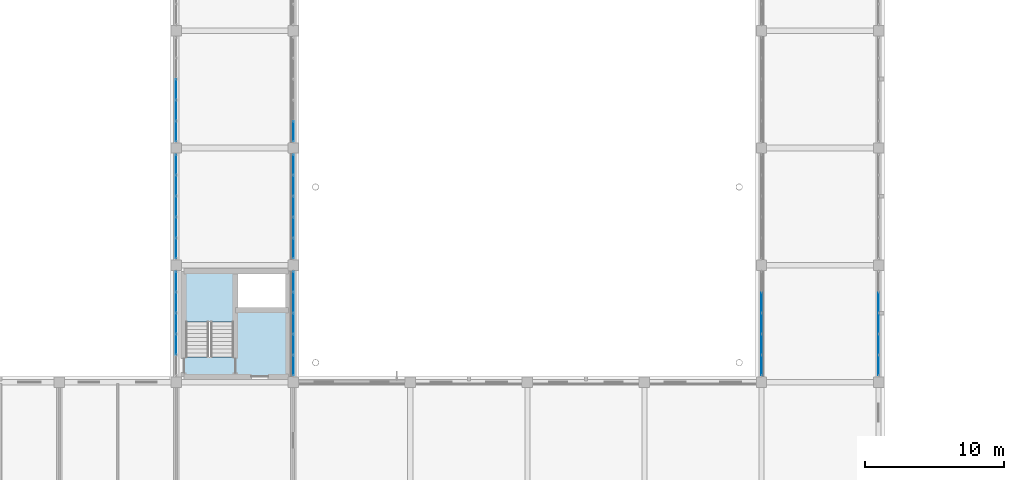
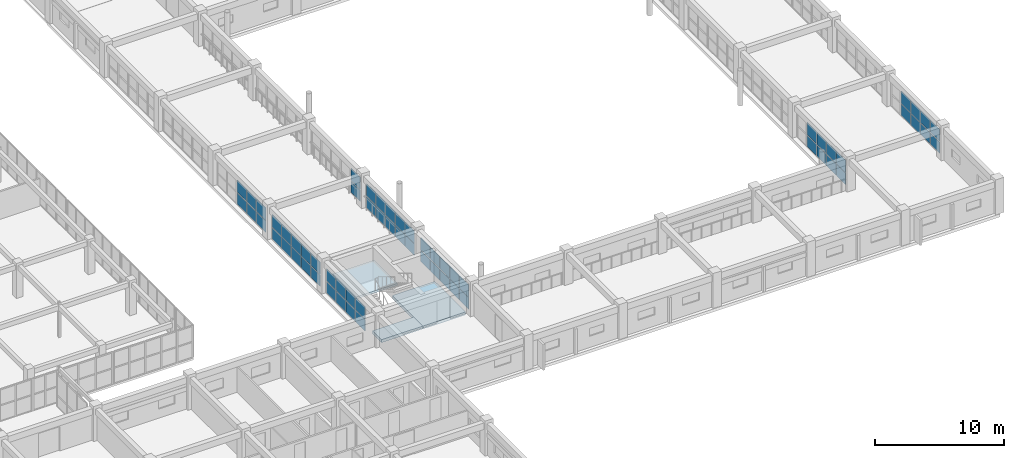
# One storey, part 157 of 200: 62 plates, 3 slabs, 9 elements without a shape of their own.
"""IFC4 building model written with IfcOpenShell, lengths in metres."""

from ifc_helpers import new_model, si_unit, direction, frame, origin, origin_2d, place, context, subcontext, project, spatial, polyline, rectangle, outline, extrude, material, layer, layer_set, type_object, element, aggregate, save


model = new_model("IFC4")

# Units and contexts
model_context = context("Model", 3, precision=1e-05, world=origin(), true_north=direction((0.0, 1.0)))
body_context = subcontext(model_context, "Body", "Model", "MODEL_VIEW")
ifc_project = project(units=[si_unit("LENGTHUNIT", "METRE"), si_unit("AREAUNIT", "SQUARE_METRE"), si_unit("VOLUMEUNIT", "CUBIC_METRE"), si_unit("PLANEANGLEUNIT", "RADIAN"), si_unit("MASSUNIT", "GRAM", prefix="KILO")], contexts=[model_context])

# Site, building, storey
site_placement = place(None, origin())
site = spatial("IfcSite", under=ifc_project, at=site_placement, CompositionType="ELEMENT")
building_placement = place(site_placement, origin())
building = spatial("IfcBuilding", under=site, at=building_placement, Name="Trelvath General Hospital", CompositionType="ELEMENT")
storey_placement = place(building_placement, frame((0.0, 0.0, 4.800048828125)))
storey = spatial("IfcBuildingStorey", under=building, at=storey_placement, Name="L01", CompositionType="ELEMENT", Elevation=4.800048828125)

# Curtain wall, plates
ifc_material_1 = material(Name="Anodised aluminium and low-E glass", Category="aluminium")
ifc_layer_1 = layer(ifc_material_1, 0.179931640625)
ifc_layer_set_1 = layer_set([ifc_layer_1], Name="Anodised aluminium and low-E glass")
curtain_wall_type = type_object("IfcCurtainWallType", Name="CW Facade 754 242 18", PredefinedType="USERDEFINED", material=ifc_layer_set_1)
curtain_wall_1_placement = place(storey_placement, origin())
curtain_wall_1 = element("IfcCurtainWall", 1, at=curtain_wall_1_placement, inside=storey, type_object=curtain_wall_type, Name="Facade Curtain Wall CW-020", ObjectType="Unitised Glazed Curtain Wall", PredefinedType="USERDEFINED")
ifc_material_2 = material(Name="Low-E laminated glass", Category="glass")
ifc_layer_2 = layer(ifc_material_2, 0.035888671875)
ifc_layer_set_2 = layer_set([ifc_layer_2], Name="Low-E laminated glass")
plate_type = type_object("IfcPlateType", Name="CurtainPanel Glass36", PredefinedType="CURTAIN_PANEL", material=ifc_layer_set_2)
plate_1_placement = place(storey_placement, frame((134.39990234375, 27.89208984375, 0.06494140625), z_axis=(0.0, 0.0, 1.0), x_axis=(0.0, 1.0, 0.0)))
plate_1 = element("IfcPlate", 2, at=plate_1_placement, type_object=plate_type, Name="CW-020 panel 2.1", PredefinedType="CURTAIN_PANEL", context=body_context, shape_type="SweptSolid", body=[
    extrude(rectangle(XDim=1.443115234375, YDim=0.035888671875, at=origin_2d()), origin(), (0.0, 0.0, 1.0), 1.064453125),
])
plate_2_placement = place(storey_placement, frame((134.39990234375, 27.89208984375, 1.1943359375), z_axis=(0.0, 0.0, 1.0), x_axis=(0.0, 1.0, 0.0)))
plate_2 = element("IfcPlate", 3, at=plate_2_placement, type_object=plate_type, Name="CW-020 panel 2.2", PredefinedType="CURTAIN_PANEL", context=body_context, shape_type="SweptSolid", body=[
    extrude(rectangle(XDim=1.443115234375, YDim=0.035888671875, at=origin_2d()), origin(), (0.0, 0.0, 1.0), 1.160400390625),
])
plate_3_placement = place(storey_placement, frame((134.39990234375, 29.39990234375, 0.06494140625), z_axis=(0.0, 0.0, 1.0), x_axis=(0.0, 1.0, 0.0)))
plate_3 = element("IfcPlate", 4, at=plate_3_placement, type_object=plate_type, Name="CW-020 panel 3.1", PredefinedType="CURTAIN_PANEL", context=body_context, shape_type="SweptSolid", body=[
    extrude(rectangle(XDim=1.443115234375, YDim=0.035888671875, at=origin_2d()), origin(), (0.0, 0.0, 1.0), 1.064453125),
])
plate_4_placement = place(storey_placement, frame((134.39990234375, 29.39990234375, 1.1943359375), z_axis=(0.0, 0.0, 1.0), x_axis=(0.0, 1.0, 0.0)))
plate_4 = element("IfcPlate", 5, at=plate_4_placement, type_object=plate_type, Name="CW-020 panel 3.2", PredefinedType="CURTAIN_PANEL", context=body_context, shape_type="SweptSolid", body=[
    extrude(rectangle(XDim=1.443115234375, YDim=0.035888671875, at=origin_2d()), origin(), (0.0, 0.0, 1.0), 1.160400390625),
])
plate_5_placement = place(storey_placement, frame((134.39990234375, 30.907958984375, 0.06494140625), z_axis=(0.0, 0.0, 1.0), x_axis=(0.0, 1.0, 0.0)))
plate_5 = element("IfcPlate", 6, at=plate_5_placement, type_object=plate_type, Name="CW-020 panel 4.1", PredefinedType="CURTAIN_PANEL", context=body_context, shape_type="SweptSolid", body=[
    extrude(rectangle(XDim=1.443115234375, YDim=0.035888671875, at=origin_2d()), origin(), (0.0, 0.0, 1.0), 1.064453125),
])
plate_6_placement = place(storey_placement, frame((134.39990234375, 30.907958984375, 1.1943359375), z_axis=(0.0, 0.0, 1.0), x_axis=(0.0, 1.0, 0.0)))
plate_6 = element("IfcPlate", 7, at=plate_6_placement, type_object=plate_type, Name="CW-020 panel 4.2", PredefinedType="CURTAIN_PANEL", context=body_context, shape_type="SweptSolid", body=[
    extrude(rectangle(XDim=1.443115234375, YDim=0.035888671875, at=origin_2d()), origin(), (0.0, 0.0, 1.0), 1.160400390625),
])
plate_7_placement = place(storey_placement, frame((134.39990234375, 32.399658203125, 0.06494140625), z_axis=(0.0, 0.0, 1.0), x_axis=(0.0, 1.0, 0.0)))
plate_7 = element("IfcPlate", 8, at=plate_7_placement, type_object=plate_type, Name="CW-020 panel 5.1", PredefinedType="CURTAIN_PANEL", context=body_context, shape_type="SweptSolid", body=[
    extrude(rectangle(XDim=1.410400390625, YDim=0.035888671875, at=origin_2d()), origin(), (0.0, 0.0, 1.0), 1.064453125),
])
plate_8_placement = place(storey_placement, frame((134.39990234375, 32.399658203125, 1.1943359375), z_axis=(0.0, 0.0, 1.0), x_axis=(0.0, 1.0, 0.0)))
plate_8 = element("IfcPlate", 9, at=plate_8_placement, type_object=plate_type, Name="CW-020 panel 5.2", PredefinedType="CURTAIN_PANEL", context=body_context, shape_type="SweptSolid", body=[
    extrude(rectangle(XDim=1.410400390625, YDim=0.035888671875, at=origin_2d()), origin(), (0.0, 0.0, 1.0), 1.160400390625),
])
aggregate(curtain_wall_1, [plate_1, plate_2, plate_3, plate_4, plate_5, plate_6, plate_7, plate_8])

curtain_wall_2_placement = place(storey_placement, origin())
curtain_wall_2 = element("IfcCurtainWall", 10, at=curtain_wall_2_placement, inside=storey, type_object=curtain_wall_type, Name="Facade Curtain Wall CW-021", ObjectType="Unitised Glazed Curtain Wall", PredefinedType="USERDEFINED")
plate_9_placement = place(storey_placement, frame((142.800048828125, 32.399658203125, 0.06494140625), z_axis=(0.0, 0.0, 1.0), x_axis=(0.0, -1.0, 0.0)))
plate_9 = element("IfcPlate", 11, at=plate_9_placement, type_object=plate_type, Name="CW-021 panel 1.1", PredefinedType="CURTAIN_PANEL", context=body_context, shape_type="SweptSolid", body=[
    extrude(rectangle(XDim=1.410400390625, YDim=0.035888671875, at=origin_2d()), origin(), (0.0, 0.0, 1.0), 1.064453125),
])
plate_10_placement = place(storey_placement, frame((142.800048828125, 32.399658203125, 1.1943359375), z_axis=(0.0, 0.0, 1.0), x_axis=(0.0, -1.0, 0.0)))
plate_10 = element("IfcPlate", 12, at=plate_10_placement, type_object=plate_type, Name="CW-021 panel 1.2", PredefinedType="CURTAIN_PANEL", context=body_context, shape_type="SweptSolid", body=[
    extrude(rectangle(XDim=1.410400390625, YDim=0.035888671875, at=origin_2d()), origin(), (0.0, 0.0, 1.0), 1.160400390625),
])
plate_11_placement = place(storey_placement, frame((142.800048828125, 30.907958984375, 0.06494140625), z_axis=(0.0, 0.0, 1.0), x_axis=(0.0, -1.0, 0.0)))
plate_11 = element("IfcPlate", 13, at=plate_11_placement, type_object=plate_type, Name="CW-021 panel 2.1", PredefinedType="CURTAIN_PANEL", context=body_context, shape_type="SweptSolid", body=[
    extrude(rectangle(XDim=1.443115234375, YDim=0.035888671875, at=origin_2d()), origin(), (0.0, 0.0, 1.0), 1.064453125),
])
plate_12_placement = place(storey_placement, frame((142.800048828125, 30.907958984375, 1.1943359375), z_axis=(0.0, 0.0, 1.0), x_axis=(0.0, -1.0, 0.0)))
plate_12 = element("IfcPlate", 14, at=plate_12_placement, type_object=plate_type, Name="CW-021 panel 2.2", PredefinedType="CURTAIN_PANEL", context=body_context, shape_type="SweptSolid", body=[
    extrude(rectangle(XDim=1.443115234375, YDim=0.035888671875, at=origin_2d()), origin(), (0.0, 0.0, 1.0), 1.160400390625),
])
plate_13_placement = place(storey_placement, frame((142.800048828125, 29.39990234375, 0.06494140625), z_axis=(0.0, 0.0, 1.0), x_axis=(0.0, -1.0, 0.0)))
plate_13 = element("IfcPlate", 15, at=plate_13_placement, type_object=plate_type, Name="CW-021 panel 3.1", PredefinedType="CURTAIN_PANEL", context=body_context, shape_type="SweptSolid", body=[
    extrude(rectangle(XDim=1.443115234375, YDim=0.035888671875, at=origin_2d()), origin(), (0.0, 0.0, 1.0), 1.064453125),
])
plate_14_placement = place(storey_placement, frame((142.800048828125, 29.39990234375, 1.1943359375), z_axis=(0.0, 0.0, 1.0), x_axis=(0.0, -1.0, 0.0)))
plate_14 = element("IfcPlate", 16, at=plate_14_placement, type_object=plate_type, Name="CW-021 panel 3.2", PredefinedType="CURTAIN_PANEL", context=body_context, shape_type="SweptSolid", body=[
    extrude(rectangle(XDim=1.443115234375, YDim=0.035888671875, at=origin_2d()), origin(), (0.0, 0.0, 1.0), 1.160400390625),
])
plate_15_placement = place(storey_placement, frame((142.800048828125, 27.89208984375, 0.06494140625), z_axis=(0.0, 0.0, 1.0), x_axis=(0.0, -1.0, 0.0)))
plate_15 = element("IfcPlate", 17, at=plate_15_placement, type_object=plate_type, Name="CW-021 panel 4.1", PredefinedType="CURTAIN_PANEL", context=body_context, shape_type="SweptSolid", body=[
    extrude(rectangle(XDim=1.443115234375, YDim=0.035888671875, at=origin_2d()), origin(), (0.0, 0.0, 1.0), 1.064453125),
])
plate_16_placement = place(storey_placement, frame((142.800048828125, 27.89208984375, 1.1943359375), z_axis=(0.0, 0.0, 1.0), x_axis=(0.0, -1.0, 0.0)))
plate_16 = element("IfcPlate", 18, at=plate_16_placement, type_object=plate_type, Name="CW-021 panel 4.2", PredefinedType="CURTAIN_PANEL", context=body_context, shape_type="SweptSolid", body=[
    extrude(rectangle(XDim=1.443115234375, YDim=0.035888671875, at=origin_2d()), origin(), (0.0, 0.0, 1.0), 1.160400390625),
])
plate_17_placement = place(storey_placement, frame((142.800048828125, 26.400146484375, 0.06494140625), z_axis=(0.0, 0.0, 1.0), x_axis=(0.0, -1.0, 0.0)))
plate_17 = element("IfcPlate", 19, at=plate_17_placement, type_object=plate_type, Name="CW-021 panel 5.1", PredefinedType="CURTAIN_PANEL", context=body_context, shape_type="SweptSolid", body=[
    extrude(rectangle(XDim=1.410400390625, YDim=0.035888671875, at=origin_2d()), origin(), (0.0, 0.0, 1.0), 1.064453125),
])
plate_18_placement = place(storey_placement, frame((142.800048828125, 26.400146484375, 1.1943359375), z_axis=(0.0, 0.0, 1.0), x_axis=(0.0, -1.0, 0.0)))
plate_18 = element("IfcPlate", 20, at=plate_18_placement, type_object=plate_type, Name="CW-021 panel 5.2", PredefinedType="CURTAIN_PANEL", context=body_context, shape_type="SweptSolid", body=[
    extrude(rectangle(XDim=1.410400390625, YDim=0.035888671875, at=origin_2d()), origin(), (0.0, 0.0, 1.0), 1.160400390625),
])
aggregate(curtain_wall_2, [plate_9, plate_10, plate_11, plate_12, plate_13, plate_14, plate_15, plate_16, plate_17, plate_18])

curtain_wall_3_placement = place(storey_placement, origin())
curtain_wall_3 = element("IfcCurtainWall", 21, at=curtain_wall_3_placement, inside=storey, type_object=curtain_wall_type, Name="Facade Curtain Wall CW-022", ObjectType="Unitised Glazed Curtain Wall", PredefinedType="USERDEFINED")
plate_19_placement = place(storey_placement, frame((134.39990234375, 34.80029296875, 0.06494140625), z_axis=(0.0, 0.0, 1.0), x_axis=(0.0, 1.0, 0.0)))
plate_19 = element("IfcPlate", 22, at=plate_19_placement, type_object=plate_type, Name="CW-022 panel 1.1", PredefinedType="CURTAIN_PANEL", context=body_context, shape_type="SweptSolid", body=[
    extrude(rectangle(XDim=1.410400390625, YDim=0.035888671875, at=origin_2d()), origin(), (0.0, 0.0, 1.0), 1.064453125),
])
plate_20_placement = place(storey_placement, frame((134.39990234375, 34.80029296875, 1.1943359375), z_axis=(0.0, 0.0, 1.0), x_axis=(0.0, 1.0, 0.0)))
plate_20 = element("IfcPlate", 23, at=plate_20_placement, type_object=plate_type, Name="CW-022 panel 1.2", PredefinedType="CURTAIN_PANEL", context=body_context, shape_type="SweptSolid", body=[
    extrude(rectangle(XDim=1.410400390625, YDim=0.035888671875, at=origin_2d()), origin(), (0.0, 0.0, 1.0), 1.160400390625),
])
plate_21_placement = place(storey_placement, frame((134.39990234375, 36.2919921875, 0.06494140625), z_axis=(0.0, 0.0, 1.0), x_axis=(0.0, 1.0, 0.0)))
plate_21 = element("IfcPlate", 24, at=plate_21_placement, type_object=plate_type, Name="CW-022 panel 2.1", PredefinedType="CURTAIN_PANEL", context=body_context, shape_type="SweptSolid", body=[
    extrude(rectangle(XDim=1.443115234375, YDim=0.035888671875, at=origin_2d()), origin(), (0.0, 0.0, 1.0), 1.064453125),
])
plate_22_placement = place(storey_placement, frame((134.39990234375, 36.2919921875, 1.1943359375), z_axis=(0.0, 0.0, 1.0), x_axis=(0.0, 1.0, 0.0)))
plate_22 = element("IfcPlate", 25, at=plate_22_placement, type_object=plate_type, Name="CW-022 panel 2.2", PredefinedType="CURTAIN_PANEL", context=body_context, shape_type="SweptSolid", body=[
    extrude(rectangle(XDim=1.443115234375, YDim=0.035888671875, at=origin_2d()), origin(), (0.0, 0.0, 1.0), 1.160400390625),
])
plate_23_placement = place(storey_placement, frame((134.39990234375, 37.800048828125, 0.06494140625), z_axis=(0.0, 0.0, 1.0), x_axis=(0.0, 1.0, 0.0)))
plate_23 = element("IfcPlate", 26, at=plate_23_placement, type_object=plate_type, Name="CW-022 panel 3.1", PredefinedType="CURTAIN_PANEL", context=body_context, shape_type="SweptSolid", body=[
    extrude(rectangle(XDim=1.443115234375, YDim=0.035888671875, at=origin_2d()), origin(), (0.0, 0.0, 1.0), 1.064453125),
])
plate_24_placement = place(storey_placement, frame((134.39990234375, 37.800048828125, 1.1943359375), z_axis=(0.0, 0.0, 1.0), x_axis=(0.0, 1.0, 0.0)))
plate_24 = element("IfcPlate", 27, at=plate_24_placement, type_object=plate_type, Name="CW-022 panel 3.2", PredefinedType="CURTAIN_PANEL", context=body_context, shape_type="SweptSolid", body=[
    extrude(rectangle(XDim=1.443115234375, YDim=0.035888671875, at=origin_2d()), origin(), (0.0, 0.0, 1.0), 1.160400390625),
])
plate_25_placement = place(storey_placement, frame((134.39990234375, 39.30810546875, 0.06494140625), z_axis=(0.0, 0.0, 1.0), x_axis=(0.0, 1.0, 0.0)))
plate_25 = element("IfcPlate", 28, at=plate_25_placement, type_object=plate_type, Name="CW-022 panel 4.1", PredefinedType="CURTAIN_PANEL", context=body_context, shape_type="SweptSolid", body=[
    extrude(rectangle(XDim=1.443115234375, YDim=0.035888671875, at=origin_2d()), origin(), (0.0, 0.0, 1.0), 1.064453125),
])
plate_26_placement = place(storey_placement, frame((134.39990234375, 39.30810546875, 1.1943359375), z_axis=(0.0, 0.0, 1.0), x_axis=(0.0, 1.0, 0.0)))
plate_26 = element("IfcPlate", 29, at=plate_26_placement, type_object=plate_type, Name="CW-022 panel 4.2", PredefinedType="CURTAIN_PANEL", context=body_context, shape_type="SweptSolid", body=[
    extrude(rectangle(XDim=1.443115234375, YDim=0.035888671875, at=origin_2d()), origin(), (0.0, 0.0, 1.0), 1.160400390625),
])
plate_27_placement = place(storey_placement, frame((134.39990234375, 40.7998046875, 0.06494140625), z_axis=(0.0, 0.0, 1.0), x_axis=(0.0, 1.0, 0.0)))
plate_27 = element("IfcPlate", 30, at=plate_27_placement, type_object=plate_type, Name="CW-022 panel 5.1", PredefinedType="CURTAIN_PANEL", context=body_context, shape_type="SweptSolid", body=[
    extrude(rectangle(XDim=1.410400390625, YDim=0.035888671875, at=origin_2d()), origin(), (0.0, 0.0, 1.0), 1.064453125),
])
plate_28_placement = place(storey_placement, frame((134.39990234375, 40.7998046875, 1.1943359375), z_axis=(0.0, 0.0, 1.0), x_axis=(0.0, 1.0, 0.0)))
plate_28 = element("IfcPlate", 31, at=plate_28_placement, type_object=plate_type, Name="CW-022 panel 5.2", PredefinedType="CURTAIN_PANEL", context=body_context, shape_type="SweptSolid", body=[
    extrude(rectangle(XDim=1.410400390625, YDim=0.035888671875, at=origin_2d()), origin(), (0.0, 0.0, 1.0), 1.160400390625),
])
aggregate(curtain_wall_3, [plate_19, plate_20, plate_21, plate_22, plate_23, plate_24, plate_25, plate_26, plate_27, plate_28])

curtain_wall_4_placement = place(storey_placement, origin())
curtain_wall_4 = element("IfcCurtainWall", 32, at=curtain_wall_4_placement, inside=storey, type_object=curtain_wall_type, Name="Facade Curtain Wall CW-023", ObjectType="Unitised Glazed Curtain Wall", PredefinedType="USERDEFINED")
plate_29_placement = place(storey_placement, frame((142.800048828125, 40.7998046875, 0.06494140625), z_axis=(0.0, 0.0, 1.0), x_axis=(0.0, -1.0, 0.0)))
plate_29 = element("IfcPlate", 33, at=plate_29_placement, type_object=plate_type, Name="CW-023 panel 1.1", PredefinedType="CURTAIN_PANEL", context=body_context, shape_type="SweptSolid", body=[
    extrude(rectangle(XDim=1.410400390625, YDim=0.035888671875, at=origin_2d()), origin(), (0.0, 0.0, 1.0), 1.064453125),
])
plate_30_placement = place(storey_placement, frame((142.800048828125, 40.7998046875, 1.1943359375), z_axis=(0.0, 0.0, 1.0), x_axis=(0.0, -1.0, 0.0)))
plate_30 = element("IfcPlate", 34, at=plate_30_placement, type_object=plate_type, Name="CW-023 panel 1.2", PredefinedType="CURTAIN_PANEL", context=body_context, shape_type="SweptSolid", body=[
    extrude(rectangle(XDim=1.410400390625, YDim=0.035888671875, at=origin_2d()), origin(), (0.0, 0.0, 1.0), 1.160400390625),
])
plate_31_placement = place(storey_placement, frame((142.800048828125, 39.30810546875, 0.06494140625), z_axis=(0.0, 0.0, 1.0), x_axis=(0.0, -1.0, 0.0)))
plate_31 = element("IfcPlate", 35, at=plate_31_placement, type_object=plate_type, Name="CW-023 panel 2.1", PredefinedType="CURTAIN_PANEL", context=body_context, shape_type="SweptSolid", body=[
    extrude(rectangle(XDim=1.443115234375, YDim=0.035888671875, at=origin_2d()), origin(), (0.0, 0.0, 1.0), 1.064453125),
])
plate_32_placement = place(storey_placement, frame((142.800048828125, 39.30810546875, 1.1943359375), z_axis=(0.0, 0.0, 1.0), x_axis=(0.0, -1.0, 0.0)))
plate_32 = element("IfcPlate", 36, at=plate_32_placement, type_object=plate_type, Name="CW-023 panel 2.2", PredefinedType="CURTAIN_PANEL", context=body_context, shape_type="SweptSolid", body=[
    extrude(rectangle(XDim=1.443115234375, YDim=0.035888671875, at=origin_2d()), origin(), (0.0, 0.0, 1.0), 1.160400390625),
])
plate_33_placement = place(storey_placement, frame((142.800048828125, 37.800048828125, 0.06494140625), z_axis=(0.0, 0.0, 1.0), x_axis=(0.0, -1.0, 0.0)))
plate_33 = element("IfcPlate", 37, at=plate_33_placement, type_object=plate_type, Name="CW-023 panel 3.1", PredefinedType="CURTAIN_PANEL", context=body_context, shape_type="SweptSolid", body=[
    extrude(rectangle(XDim=1.443115234375, YDim=0.035888671875, at=origin_2d()), origin(), (0.0, 0.0, 1.0), 1.064453125),
])
plate_34_placement = place(storey_placement, frame((142.800048828125, 37.800048828125, 1.1943359375), z_axis=(0.0, 0.0, 1.0), x_axis=(0.0, -1.0, 0.0)))
plate_34 = element("IfcPlate", 38, at=plate_34_placement, type_object=plate_type, Name="CW-023 panel 3.2", PredefinedType="CURTAIN_PANEL", context=body_context, shape_type="SweptSolid", body=[
    extrude(rectangle(XDim=1.443115234375, YDim=0.035888671875, at=origin_2d()), origin(), (0.0, 0.0, 1.0), 1.160400390625),
])
plate_35_placement = place(storey_placement, frame((142.800048828125, 36.2919921875, 0.06494140625), z_axis=(0.0, 0.0, 1.0), x_axis=(0.0, -1.0, 0.0)))
plate_35 = element("IfcPlate", 39, at=plate_35_placement, type_object=plate_type, Name="CW-023 panel 4.1", PredefinedType="CURTAIN_PANEL", context=body_context, shape_type="SweptSolid", body=[
    extrude(rectangle(XDim=1.443115234375, YDim=0.035888671875, at=origin_2d()), origin(), (0.0, 0.0, 1.0), 1.064453125),
])
plate_36_placement = place(storey_placement, frame((142.800048828125, 36.2919921875, 1.1943359375), z_axis=(0.0, 0.0, 1.0), x_axis=(0.0, -1.0, 0.0)))
plate_36 = element("IfcPlate", 40, at=plate_36_placement, type_object=plate_type, Name="CW-023 panel 4.2", PredefinedType="CURTAIN_PANEL", context=body_context, shape_type="SweptSolid", body=[
    extrude(rectangle(XDim=1.443115234375, YDim=0.035888671875, at=origin_2d()), origin(), (0.0, 0.0, 1.0), 1.160400390625),
])
plate_37_placement = place(storey_placement, frame((142.800048828125, 34.80029296875, 0.06494140625), z_axis=(0.0, 0.0, 1.0), x_axis=(0.0, -1.0, 0.0)))
plate_37 = element("IfcPlate", 41, at=plate_37_placement, type_object=plate_type, Name="CW-023 panel 5.1", PredefinedType="CURTAIN_PANEL", context=body_context, shape_type="SweptSolid", body=[
    extrude(rectangle(XDim=1.410400390625, YDim=0.035888671875, at=origin_2d()), origin(), (0.0, 0.0, 1.0), 1.064453125),
])
plate_38_placement = place(storey_placement, frame((142.800048828125, 34.80029296875, 1.1943359375), z_axis=(0.0, 0.0, 1.0), x_axis=(0.0, -1.0, 0.0)))
plate_38 = element("IfcPlate", 42, at=plate_38_placement, type_object=plate_type, Name="CW-023 panel 5.2", PredefinedType="CURTAIN_PANEL", context=body_context, shape_type="SweptSolid", body=[
    extrude(rectangle(XDim=1.410400390625, YDim=0.035888671875, at=origin_2d()), origin(), (0.0, 0.0, 1.0), 1.160400390625),
])
aggregate(curtain_wall_4, [plate_29, plate_30, plate_31, plate_32, plate_33, plate_34, plate_35, plate_36, plate_37, plate_38])

curtain_wall_5_placement = place(storey_placement, origin())
curtain_wall_5 = element("IfcCurtainWall", 43, at=curtain_wall_5_placement, inside=storey, type_object=curtain_wall_type, Name="Facade Curtain Wall CW-024", ObjectType="Unitised Glazed Curtain Wall", PredefinedType="USERDEFINED")
plate_39_placement = place(storey_placement, frame((134.39990234375, 43.2001953125, 0.06494140625), z_axis=(0.0, 0.0, 1.0), x_axis=(0.0, 1.0, 0.0)))
plate_39 = element("IfcPlate", 44, at=plate_39_placement, type_object=plate_type, Name="CW-024 panel 1.1", PredefinedType="CURTAIN_PANEL", context=body_context, shape_type="SweptSolid", body=[
    extrude(rectangle(XDim=1.410400390625, YDim=0.035888671875, at=origin_2d()), origin(), (0.0, 0.0, 1.0), 1.064453125),
])
plate_40_placement = place(storey_placement, frame((134.39990234375, 43.2001953125, 1.1943359375), z_axis=(0.0, 0.0, 1.0), x_axis=(0.0, 1.0, 0.0)))
plate_40 = element("IfcPlate", 45, at=plate_40_placement, type_object=plate_type, Name="CW-024 panel 1.2", PredefinedType="CURTAIN_PANEL", context=body_context, shape_type="SweptSolid", body=[
    extrude(rectangle(XDim=1.410400390625, YDim=0.035888671875, at=origin_2d()), origin(), (0.0, 0.0, 1.0), 1.160400390625),
])
plate_41_placement = place(storey_placement, frame((134.39990234375, 44.69189453125, 0.06494140625), z_axis=(0.0, 0.0, 1.0), x_axis=(0.0, 1.0, 0.0)))
plate_41 = element("IfcPlate", 46, at=plate_41_placement, type_object=plate_type, Name="CW-024 panel 2.1", PredefinedType="CURTAIN_PANEL", context=body_context, shape_type="SweptSolid", body=[
    extrude(rectangle(XDim=1.443115234375, YDim=0.035888671875, at=origin_2d()), origin(), (0.0, 0.0, 1.0), 1.064453125),
])
plate_42_placement = place(storey_placement, frame((134.39990234375, 44.69189453125, 1.1943359375), z_axis=(0.0, 0.0, 1.0), x_axis=(0.0, 1.0, 0.0)))
plate_42 = element("IfcPlate", 47, at=plate_42_placement, type_object=plate_type, Name="CW-024 panel 2.2", PredefinedType="CURTAIN_PANEL", context=body_context, shape_type="SweptSolid", body=[
    extrude(rectangle(XDim=1.443115234375, YDim=0.035888671875, at=origin_2d()), origin(), (0.0, 0.0, 1.0), 1.160400390625),
])
plate_43_placement = place(storey_placement, frame((134.39990234375, 46.199951171875, 0.06494140625), z_axis=(0.0, 0.0, 1.0), x_axis=(0.0, 1.0, 0.0)))
plate_43 = element("IfcPlate", 48, at=plate_43_placement, type_object=plate_type, Name="CW-024 panel 3.1", PredefinedType="CURTAIN_PANEL", context=body_context, shape_type="SweptSolid", body=[
    extrude(rectangle(XDim=1.443115234375, YDim=0.035888671875, at=origin_2d()), origin(), (0.0, 0.0, 1.0), 1.064453125),
])
plate_44_placement = place(storey_placement, frame((134.39990234375, 46.199951171875, 1.1943359375), z_axis=(0.0, 0.0, 1.0), x_axis=(0.0, 1.0, 0.0)))
plate_44 = element("IfcPlate", 49, at=plate_44_placement, type_object=plate_type, Name="CW-024 panel 3.2", PredefinedType="CURTAIN_PANEL", context=body_context, shape_type="SweptSolid", body=[
    extrude(rectangle(XDim=1.443115234375, YDim=0.035888671875, at=origin_2d()), origin(), (0.0, 0.0, 1.0), 1.160400390625),
])
aggregate(curtain_wall_5, [plate_39, plate_40, plate_41, plate_42, plate_43, plate_44])

curtain_wall_6_placement = place(storey_placement, origin())
curtain_wall_6 = element("IfcCurtainWall", 50, at=curtain_wall_6_placement, inside=storey, type_object=curtain_wall_type, Name="Facade Curtain Wall CW-025", ObjectType="Unitised Glazed Curtain Wall", PredefinedType="USERDEFINED")
plate_45_placement = place(storey_placement, frame((142.800048828125, 43.2001953125, 0.06494140625), z_axis=(0.0, 0.0, 1.0), x_axis=(0.0, -1.0, 0.0)))
plate_45 = element("IfcPlate", 51, at=plate_45_placement, type_object=plate_type, Name="CW-025 panel 5.1", PredefinedType="CURTAIN_PANEL", context=body_context, shape_type="SweptSolid", body=[
    extrude(rectangle(XDim=1.410400390625, YDim=0.035888671875, at=origin_2d()), origin(), (0.0, 0.0, 1.0), 1.064453125),
])
plate_46_placement = place(storey_placement, frame((142.800048828125, 43.2001953125, 1.1943359375), z_axis=(0.0, 0.0, 1.0), x_axis=(0.0, -1.0, 0.0)))
plate_46 = element("IfcPlate", 52, at=plate_46_placement, type_object=plate_type, Name="CW-025 panel 5.2", PredefinedType="CURTAIN_PANEL", context=body_context, shape_type="SweptSolid", body=[
    extrude(rectangle(XDim=1.410400390625, YDim=0.035888671875, at=origin_2d()), origin(), (0.0, 0.0, 1.0), 1.160400390625),
])
aggregate(curtain_wall_6, [plate_45, plate_46])

curtain_wall_7_placement = place(storey_placement, origin())
curtain_wall_7 = element("IfcCurtainWall", 53, at=curtain_wall_7_placement, inside=storey, type_object=curtain_wall_type, Name="Facade Curtain Wall CW-030", ObjectType="Unitised Glazed Curtain Wall", PredefinedType="USERDEFINED")
plate_47_placement = place(storey_placement, frame((176.39990234375, 26.400146484375, 0.06494140625), z_axis=(0.0, 0.0, 1.0), x_axis=(0.0, 1.0, 0.0)))
plate_47 = element("IfcPlate", 54, at=plate_47_placement, type_object=plate_type, Name="CW-030 panel 1.1", PredefinedType="CURTAIN_PANEL", context=body_context, shape_type="SweptSolid", body=[
    extrude(rectangle(XDim=1.410400390625, YDim=0.035888671875, at=origin_2d()), origin(), (0.0, 0.0, 1.0), 1.064453125),
])
plate_48_placement = place(storey_placement, frame((176.39990234375, 26.400146484375, 1.1943359375), z_axis=(0.0, 0.0, 1.0), x_axis=(0.0, 1.0, 0.0)))
plate_48 = element("IfcPlate", 55, at=plate_48_placement, type_object=plate_type, Name="CW-030 panel 1.2", PredefinedType="CURTAIN_PANEL", context=body_context, shape_type="SweptSolid", body=[
    extrude(rectangle(XDim=1.410400390625, YDim=0.035888671875, at=origin_2d()), origin(), (0.0, 0.0, 1.0), 1.160400390625),
])
plate_49_placement = place(storey_placement, frame((176.39990234375, 27.89208984375, 0.06494140625), z_axis=(0.0, 0.0, 1.0), x_axis=(0.0, 1.0, 0.0)))
plate_49 = element("IfcPlate", 56, at=plate_49_placement, type_object=plate_type, Name="CW-030 panel 2.1", PredefinedType="CURTAIN_PANEL", context=body_context, shape_type="SweptSolid", body=[
    extrude(rectangle(XDim=1.443115234375, YDim=0.035888671875, at=origin_2d()), origin(), (0.0, 0.0, 1.0), 1.064453125),
])
plate_50_placement = place(storey_placement, frame((176.39990234375, 27.89208984375, 1.1943359375), z_axis=(0.0, 0.0, 1.0), x_axis=(0.0, 1.0, 0.0)))
plate_50 = element("IfcPlate", 57, at=plate_50_placement, type_object=plate_type, Name="CW-030 panel 2.2", PredefinedType="CURTAIN_PANEL", context=body_context, shape_type="SweptSolid", body=[
    extrude(rectangle(XDim=1.443115234375, YDim=0.035888671875, at=origin_2d()), origin(), (0.0, 0.0, 1.0), 1.160400390625),
])
plate_51_placement = place(storey_placement, frame((176.39990234375, 29.39990234375, 0.06494140625), z_axis=(0.0, 0.0, 1.0), x_axis=(0.0, 1.0, 0.0)))
plate_51 = element("IfcPlate", 58, at=plate_51_placement, type_object=plate_type, Name="CW-030 panel 3.1", PredefinedType="CURTAIN_PANEL", context=body_context, shape_type="SweptSolid", body=[
    extrude(rectangle(XDim=1.443115234375, YDim=0.035888671875, at=origin_2d()), origin(), (0.0, 0.0, 1.0), 1.064453125),
])
plate_52_placement = place(storey_placement, frame((176.39990234375, 29.39990234375, 1.1943359375), z_axis=(0.0, 0.0, 1.0), x_axis=(0.0, 1.0, 0.0)))
plate_52 = element("IfcPlate", 59, at=plate_52_placement, type_object=plate_type, Name="CW-030 panel 3.2", PredefinedType="CURTAIN_PANEL", context=body_context, shape_type="SweptSolid", body=[
    extrude(rectangle(XDim=1.443115234375, YDim=0.035888671875, at=origin_2d()), origin(), (0.0, 0.0, 1.0), 1.160400390625),
])
plate_53_placement = place(storey_placement, frame((176.39990234375, 30.907958984375, 0.06494140625), z_axis=(0.0, 0.0, 1.0), x_axis=(0.0, 1.0, 0.0)))
plate_53 = element("IfcPlate", 60, at=plate_53_placement, type_object=plate_type, Name="CW-030 panel 4.1", PredefinedType="CURTAIN_PANEL", context=body_context, shape_type="SweptSolid", body=[
    extrude(rectangle(XDim=1.443115234375, YDim=0.035888671875, at=origin_2d()), origin(), (0.0, 0.0, 1.0), 1.064453125),
])
plate_54_placement = place(storey_placement, frame((176.39990234375, 30.907958984375, 1.1943359375), z_axis=(0.0, 0.0, 1.0), x_axis=(0.0, 1.0, 0.0)))
plate_54 = element("IfcPlate", 61, at=plate_54_placement, type_object=plate_type, Name="CW-030 panel 4.2", PredefinedType="CURTAIN_PANEL", context=body_context, shape_type="SweptSolid", body=[
    extrude(rectangle(XDim=1.443115234375, YDim=0.035888671875, at=origin_2d()), origin(), (0.0, 0.0, 1.0), 1.160400390625),
])
aggregate(curtain_wall_7, [plate_47, plate_48, plate_49, plate_50, plate_51, plate_52, plate_53, plate_54])

curtain_wall_8_placement = place(storey_placement, origin())
curtain_wall_8 = element("IfcCurtainWall", 62, at=curtain_wall_8_placement, inside=storey, type_object=curtain_wall_type, Name="Facade Curtain Wall CW-031", ObjectType="Unitised Glazed Curtain Wall", PredefinedType="USERDEFINED")
plate_55_placement = place(storey_placement, frame((184.800048828125, 30.907958984375, 0.06494140625), z_axis=(0.0, 0.0, 1.0), x_axis=(0.0, -1.0, 0.0)))
plate_55 = element("IfcPlate", 63, at=plate_55_placement, type_object=plate_type, Name="CW-031 panel 2.1", PredefinedType="CURTAIN_PANEL", context=body_context, shape_type="SweptSolid", body=[
    extrude(rectangle(XDim=1.443115234375, YDim=0.035888671875, at=origin_2d()), origin(), (0.0, 0.0, 1.0), 1.064453125),
])
plate_56_placement = place(storey_placement, frame((184.800048828125, 30.907958984375, 1.1943359375), z_axis=(0.0, 0.0, 1.0), x_axis=(0.0, -1.0, 0.0)))
plate_56 = element("IfcPlate", 64, at=plate_56_placement, type_object=plate_type, Name="CW-031 panel 2.2", PredefinedType="CURTAIN_PANEL", context=body_context, shape_type="SweptSolid", body=[
    extrude(rectangle(XDim=1.443115234375, YDim=0.035888671875, at=origin_2d()), origin(), (0.0, 0.0, 1.0), 1.160400390625),
])
plate_57_placement = place(storey_placement, frame((184.800048828125, 29.39990234375, 0.06494140625), z_axis=(0.0, 0.0, 1.0), x_axis=(0.0, -1.0, 0.0)))
plate_57 = element("IfcPlate", 65, at=plate_57_placement, type_object=plate_type, Name="CW-031 panel 3.1", PredefinedType="CURTAIN_PANEL", context=body_context, shape_type="SweptSolid", body=[
    extrude(rectangle(XDim=1.443115234375, YDim=0.035888671875, at=origin_2d()), origin(), (0.0, 0.0, 1.0), 1.064453125),
])
plate_58_placement = place(storey_placement, frame((184.800048828125, 29.39990234375, 1.1943359375), z_axis=(0.0, 0.0, 1.0), x_axis=(0.0, -1.0, 0.0)))
plate_58 = element("IfcPlate", 66, at=plate_58_placement, type_object=plate_type, Name="CW-031 panel 3.2", PredefinedType="CURTAIN_PANEL", context=body_context, shape_type="SweptSolid", body=[
    extrude(rectangle(XDim=1.443115234375, YDim=0.035888671875, at=origin_2d()), origin(), (0.0, 0.0, 1.0), 1.160400390625),
])
plate_59_placement = place(storey_placement, frame((184.800048828125, 27.89208984375, 0.06494140625), z_axis=(0.0, 0.0, 1.0), x_axis=(0.0, -1.0, 0.0)))
plate_59 = element("IfcPlate", 67, at=plate_59_placement, type_object=plate_type, Name="CW-031 panel 4.1", PredefinedType="CURTAIN_PANEL", context=body_context, shape_type="SweptSolid", body=[
    extrude(rectangle(XDim=1.443115234375, YDim=0.035888671875, at=origin_2d()), origin(), (0.0, 0.0, 1.0), 1.064453125),
])
plate_60_placement = place(storey_placement, frame((184.800048828125, 27.89208984375, 1.1943359375), z_axis=(0.0, 0.0, 1.0), x_axis=(0.0, -1.0, 0.0)))
plate_60 = element("IfcPlate", 68, at=plate_60_placement, type_object=plate_type, Name="CW-031 panel 4.2", PredefinedType="CURTAIN_PANEL", context=body_context, shape_type="SweptSolid", body=[
    extrude(rectangle(XDim=1.443115234375, YDim=0.035888671875, at=origin_2d()), origin(), (0.0, 0.0, 1.0), 1.160400390625),
])
plate_61_placement = place(storey_placement, frame((184.800048828125, 26.400146484375, 0.06494140625), z_axis=(0.0, 0.0, 1.0), x_axis=(0.0, -1.0, 0.0)))
plate_61 = element("IfcPlate", 69, at=plate_61_placement, type_object=plate_type, Name="CW-031 panel 5.1", PredefinedType="CURTAIN_PANEL", context=body_context, shape_type="SweptSolid", body=[
    extrude(rectangle(XDim=1.410400390625, YDim=0.035888671875, at=origin_2d()), origin(), (0.0, 0.0, 1.0), 1.064453125),
])
plate_62_placement = place(storey_placement, frame((184.800048828125, 26.400146484375, 1.1943359375), z_axis=(0.0, 0.0, 1.0), x_axis=(0.0, -1.0, 0.0)))
plate_62 = element("IfcPlate", 70, at=plate_62_placement, type_object=plate_type, Name="CW-031 panel 5.2", PredefinedType="CURTAIN_PANEL", context=body_context, shape_type="SweptSolid", body=[
    extrude(rectangle(XDim=1.410400390625, YDim=0.035888671875, at=origin_2d()), origin(), (0.0, 0.0, 1.0), 1.160400390625),
])
aggregate(curtain_wall_8, [plate_55, plate_56, plate_57, plate_58, plate_59, plate_60, plate_61, plate_62])

# Slabs
ifc_material_3 = material(Name="Concrete C35/45", Category="concrete")
ifc_layer_3 = layer(ifc_material_3, 0.280029296875)
ifc_layer_set_3 = layer_set([ifc_layer_3], Name="Concrete C35/45")
slab_type_1 = type_object("IfcSlabType", Name="FlatSlab Clinical280", PredefinedType="FLOOR", material=ifc_layer_set_3)
slab_1_placement = place(storey_placement, frame((0.0, 0.0, -0.280029296875)))
element("IfcSlab", 71, at=slab_1_placement, inside=storey, type_object=slab_type_1, Name="Core Lobby Slab C7 L01", PredefinedType="FLOOR", context=body_context, shape_type="SweptSolid", body=[
    extrude(outline(polyline([(138.64990234375, 25.60009765625), (142.449951171875, 25.60009765625), (142.449951171875, 30.35009765625), (138.64990234375, 30.35009765625), (138.64990234375, 25.60009765625)])), origin(), (0.0, 0.0, 1.0), 0.280029296875),
])
slab_2_placement = place(storey_placement, frame((0.0, 0.0, -0.280029296875)))
element("IfcSlab", 72, at=slab_2_placement, inside=storey, type_object=slab_type_1, Name="Stair Landing Slab C7 L01", PredefinedType="FLOOR", context=body_context, shape_type="SweptSolid", body=[
    extrude(outline(polyline([(134.949951171875, 25.60009765625), (138.64990234375, 25.60009765625), (138.64990234375, 27.0), (134.949951171875, 27.0), (134.949951171875, 25.60009765625)])), origin(), (0.0, 0.0, 1.0), 0.280029296875),
])

# Stair, slab
ifc_material_4 = material(Name="Concrete C35/45", Category="concrete")
stair_type = type_object("IfcStairType", Name="Stair Stretcher330", PredefinedType="TWO_STRAIGHT_RUN_STAIR", material=ifc_material_4)
stair_placement = place(storey_placement, origin())
stair = element("IfcStair", 73, at=stair_placement, inside=storey, type_object=stair_type, Name="Exit Stair ST7 L01", PredefinedType="TWO_STRAIGHT_RUN_STAIR")
ifc_material_5 = material(Name="Concrete C35/45", Category="concrete")
ifc_layer_4 = layer(ifc_material_5, 0.199951171875)
ifc_layer_set_4 = layer_set([ifc_layer_4], Name="Concrete C35/45")
slab_type_2 = type_object("IfcSlabType", Name="StairLanding 200", PredefinedType="LANDING", material=ifc_layer_set_4)
slab_3_placement = place(storey_placement, frame((0.0, 0.0, 1.449951171875)))
slab_3 = element("IfcSlab", 74, at=slab_3_placement, type_object=slab_type_2, Name="ST7-L01 landing 1", PredefinedType="LANDING", context=body_context, shape_type="SweptSolid", body=[
    extrude(outline(polyline([(134.9599609375, 29.52001953125), (138.639892578125, 29.52001953125), (138.639892578125, 33.139892578125), (134.9599609375, 33.139892578125), (134.9599609375, 29.52001953125)])), origin(), (0.0, 0.0, 1.0), 0.199951171875),
])
aggregate(stair, [slab_3])

save(model, "model.ifc")
